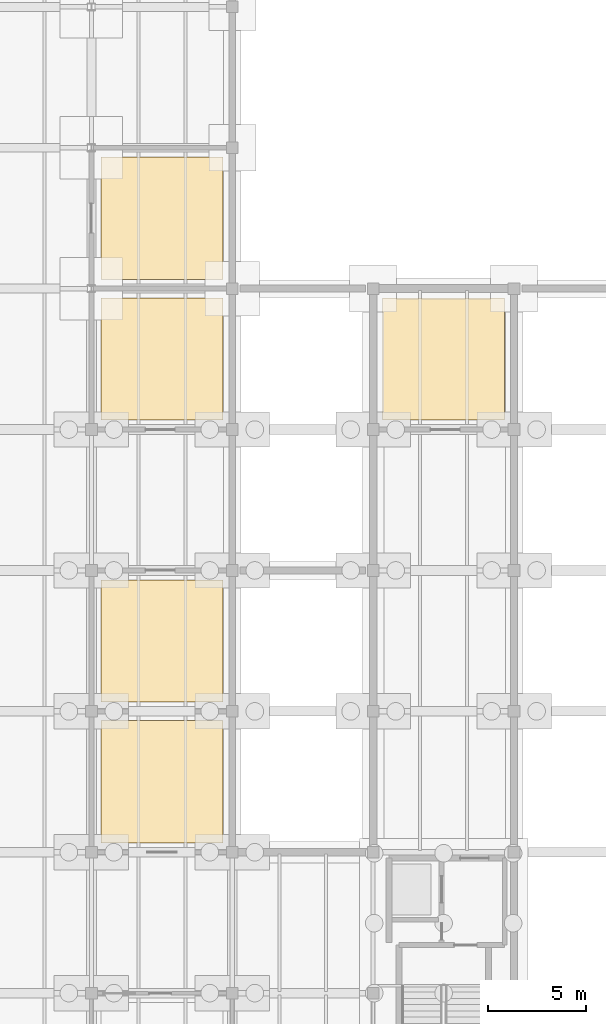
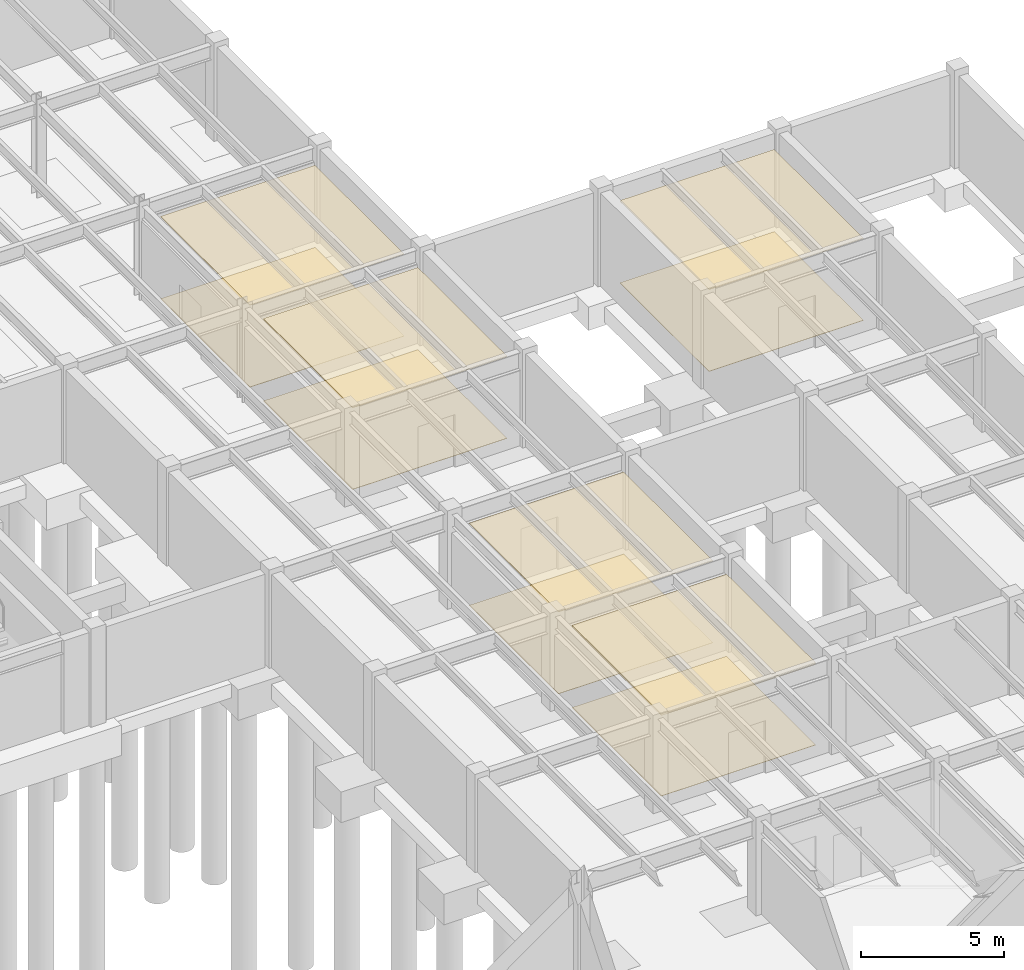
# One storey, part 45 of 46: 10 coverings.
"""IFC4 building model written with IfcOpenShell, lengths in metres."""

from ifc_helpers import new_model, si_unit, direction, frame, origin, place, context, subcontext, project, spatial, polyline, outline, extrude, material, layer, layer_set, type_object, element, save


model = new_model("IFC4")

# Units and contexts
model_context = context("Model", 3, precision=1e-05, world=origin(), true_north=direction((0.0, 1.0)))
body_context = subcontext(model_context, "Body", "Model", "MODEL_VIEW")
ifc_project = project(units=[si_unit("LENGTHUNIT", "METRE"), si_unit("AREAUNIT", "SQUARE_METRE"), si_unit("VOLUMEUNIT", "CUBIC_METRE"), si_unit("PLANEANGLEUNIT", "RADIAN"), si_unit("MASSUNIT", "GRAM", prefix="KILO")], contexts=[model_context])

# Site, building, storey
site_placement = place(None, origin())
site = spatial("IfcSite", under=ifc_project, at=site_placement, CompositionType="ELEMENT")
building_placement = place(site_placement, origin())
building = spatial("IfcBuilding", under=site, at=building_placement, Name="Sillqori Civic Hall", CompositionType="ELEMENT")
storey_placement = place(building_placement, frame((0.0, 0.0, -4.199951171875)))
storey = spatial("IfcBuildingStorey", under=building, at=storey_placement, Name="B01", CompositionType="ELEMENT", Elevation=-4.199951171875)

# Coverings
ifc_material_1 = material(Name="Acoustic Gypsum Board Assembly 34", Category="gypsum")
ifc_layer_1 = layer(ifc_material_1, 0.033935546875)
ifc_layer_set_1 = layer_set([ifc_layer_1], Name="Acoustic Gypsum Board Assembly 34")
covering_type_1 = type_object("IfcCoveringType", Name="COV-CEIL-G34", PredefinedType="CEILING", material=ifc_layer_set_1)
covering_1_placement = place(storey_placement, frame((0.0, 0.0, 3.495849609375)))
element("IfcCovering", 1, at=covering_1_placement, inside=storey, type_object=covering_type_1, Name="Emergency Standby Generator Hall B01-12 acoustic ceiling", PredefinedType="CEILING", context=body_context, shape_type="SweptSolid", body=[
    extrude(outline(polyline([(122.8798828125, 86.8798828125), (129.1201171875, 86.8798828125), (129.1201171875, 93.1201171875), (122.8798828125, 93.1201171875), (122.8798828125, 86.8798828125)])), origin(), (0.0, 0.0, 1.0), 0.0341796875),
])
ifc_material_2 = material(Name="Perforated Acoustic Gypsum Board Ceiling", Category="gypsum")
ifc_layer_2 = layer(ifc_material_2, 0.030029296875)
ifc_layer_set_2 = layer_set([ifc_layer_2], Name="Perforated Acoustic Gypsum Board Ceiling")
covering_type_2 = type_object("IfcCoveringType", Name="COV-CEIL-GYP", PredefinedType="CEILING", material=ifc_layer_set_2)
covering_2_placement = place(storey_placement, frame((0.0, 0.0, 3.5)))
element("IfcCovering", 2, at=covering_2_placement, inside=storey, type_object=covering_type_2, Name="Emergency Standby Generator Hall B01-07 acoustic ceiling", PredefinedType="CEILING", context=body_context, shape_type="SweptSolid", body=[
    extrude(outline(polyline([(108.47998046875, 72.47998046875), (114.719970703125, 72.47998046875), (114.719970703125, 78.719970703125), (108.47998046875, 78.719970703125), (108.47998046875, 72.47998046875)])), origin(), (0.0, 0.0, 1.0), 0.030029296875),
])
ifc_material_3 = material(Name="Chamber Acoustic Coffer Liner 84", Category="timber")
ifc_layer_3 = layer(ifc_material_3, 0.083984375)
ifc_layer_set_3 = layer_set([ifc_layer_3], Name="Chamber Acoustic Coffer Liner 84")
covering_type_3 = type_object("IfcCoveringType", Name="COV-CEIL-M84", PredefinedType="CEILING", material=ifc_layer_set_3)
covering_3_placement = place(storey_placement, frame((0.0, 0.0, 3.446044921875)))
element("IfcCovering", 3, at=covering_3_placement, inside=storey, type_object=covering_type_3, Name="Main Medium-Voltage Transformer Room B01-06 acoustic ceiling", PredefinedType="CEILING", context=body_context, shape_type="SweptSolid", body=[
    extrude(outline(polyline([(108.47998046875, 65.280029296875), (114.719970703125, 65.280029296875), (114.719970703125, 71.52001953125), (108.47998046875, 71.52001953125), (108.47998046875, 65.280029296875)])), origin(), (0.0, 0.0, 1.0), 0.083984375),
])
ifc_material_4 = material(Name="Mineral-Fibre High-NRC Tile Ceiling", Category="gypsum")
ifc_layer_4 = layer(ifc_material_4, 0.02392578125)
ifc_layer_set_4 = layer_set([ifc_layer_4], Name="Mineral-Fibre High-NRC Tile Ceiling")
covering_type_4 = type_object("IfcCoveringType", Name="COV-CEIL-MIN", PredefinedType="CEILING", material=ifc_layer_set_4)
covering_4_placement = place(storey_placement, frame((0.0, 0.0, 3.505859375)))
element("IfcCovering", 4, at=covering_4_placement, inside=storey, type_object=covering_type_4, Name="Fire Protection Pump and Sprinkler Valve Room B01-09 acoustic ceiling", PredefinedType="CEILING", context=body_context, shape_type="SweptSolid", body=[
    extrude(outline(polyline([(108.47998046875, 94.080078125), (114.719970703125, 94.080078125), (114.719970703125, 100.320068359375), (108.47998046875, 100.320068359375), (108.47998046875, 94.080078125)])), origin(), (0.0, 0.0, 1.0), 0.024169921875),
])
ifc_material_5 = material(Name="Slatted Andean Cedar Acoustic Baffle", Category="timber")
ifc_layer_5 = layer(ifc_material_5, 0.0419921875)
ifc_layer_set_5 = layer_set([ifc_layer_5], Name="Slatted Andean Cedar Acoustic Baffle")
covering_type_5 = type_object("IfcCoveringType", Name="COV-CEIL-TIM", PredefinedType="CEILING", material=ifc_layer_set_5)
covering_5_placement = place(storey_placement, frame((0.0, 0.0, 3.488037109375)))
element("IfcCovering", 5, at=covering_5_placement, inside=storey, type_object=covering_type_5, Name="Domestic Cold Water Cistern and Booster Room B01-08 acoustic ceiling", PredefinedType="CEILING", context=body_context, shape_type="SweptSolid", body=[
    extrude(outline(polyline([(108.47998046875, 86.8798828125), (114.719970703125, 86.8798828125), (114.719970703125, 93.1201171875), (108.47998046875, 93.1201171875), (108.47998046875, 86.8798828125)])), origin(), (0.0, 0.0, 1.0), 0.0419921875),
])
ifc_material_6 = material(Name="Dust-Sealed Heavy-Duty Archive Epoxy", Category="resin")
ifc_layer_6 = layer(ifc_material_6, 0.014892578125)
ifc_layer_set_6 = layer_set([ifc_layer_6], Name="Dust-Sealed Heavy-Duty Archive Epoxy")
covering_type_6 = type_object("IfcCoveringType", Name="COV-FLR-EPX", PredefinedType="FLOORING", material=ifc_layer_set_6)
covering_6_placement = place(storey_placement, origin())
element("IfcCovering", 6, at=covering_6_placement, inside=storey, type_object=covering_type_6, Name="Main Medium-Voltage Transformer Room B01-06 floor finish", PredefinedType="FLOORING", context=body_context, shape_type="SweptSolid", body=[
    extrude(outline(polyline([(108.47998046875, 65.280029296875), (114.719970703125, 65.280029296875), (114.719970703125, 71.52001953125), (108.47998046875, 71.52001953125), (108.47998046875, 65.280029296875)])), origin(), (0.0, 0.0, 1.0), 0.014892578125),
])
covering_7_placement = place(storey_placement, origin())
element("IfcCovering", 7, at=covering_7_placement, inside=storey, type_object=covering_type_6, Name="Emergency Standby Generator Hall B01-07 floor finish", PredefinedType="FLOORING", context=body_context, shape_type="SweptSolid", body=[
    extrude(outline(polyline([(108.47998046875, 72.47998046875), (114.719970703125, 72.47998046875), (114.719970703125, 78.719970703125), (108.47998046875, 78.719970703125), (108.47998046875, 72.47998046875)])), origin(), (0.0, 0.0, 1.0), 0.014892578125),
])
covering_8_placement = place(storey_placement, origin())
element("IfcCovering", 8, at=covering_8_placement, inside=storey, type_object=covering_type_6, Name="Domestic Cold Water Cistern and Booster Room B01-08 floor finish", PredefinedType="FLOORING", context=body_context, shape_type="SweptSolid", body=[
    extrude(outline(polyline([(108.47998046875, 86.8798828125), (114.719970703125, 86.8798828125), (114.719970703125, 93.1201171875), (108.47998046875, 93.1201171875), (108.47998046875, 86.8798828125)])), origin(), (0.0, 0.0, 1.0), 0.014892578125),
])
covering_9_placement = place(storey_placement, origin())
element("IfcCovering", 9, at=covering_9_placement, inside=storey, type_object=covering_type_6, Name="Fire Protection Pump and Sprinkler Valve Room B01-09 floor finish", PredefinedType="FLOORING", context=body_context, shape_type="SweptSolid", body=[
    extrude(outline(polyline([(108.47998046875, 94.080078125), (114.719970703125, 94.080078125), (114.719970703125, 100.320068359375), (108.47998046875, 100.320068359375), (108.47998046875, 94.080078125)])), origin(), (0.0, 0.0, 1.0), 0.014892578125),
])
covering_10_placement = place(storey_placement, origin())
element("IfcCovering", 10, at=covering_10_placement, inside=storey, type_object=covering_type_6, Name="Emergency Standby Generator Hall B01-12 floor finish", PredefinedType="FLOORING", context=body_context, shape_type="SweptSolid", body=[
    extrude(outline(polyline([(122.8798828125, 86.8798828125), (129.1201171875, 86.8798828125), (129.1201171875, 93.1201171875), (122.8798828125, 93.1201171875), (122.8798828125, 86.8798828125)])), origin(), (0.0, 0.0, 1.0), 0.014892578125),
])

save(model, "model.ifc")
